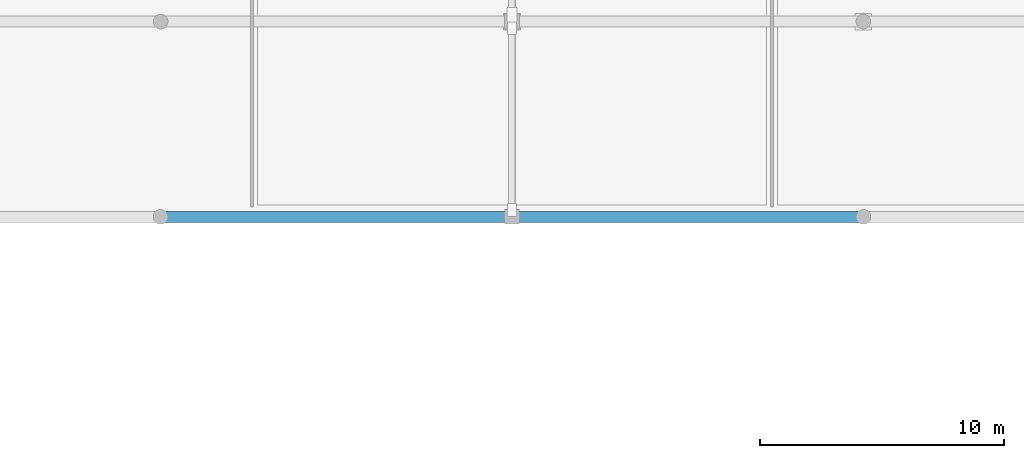
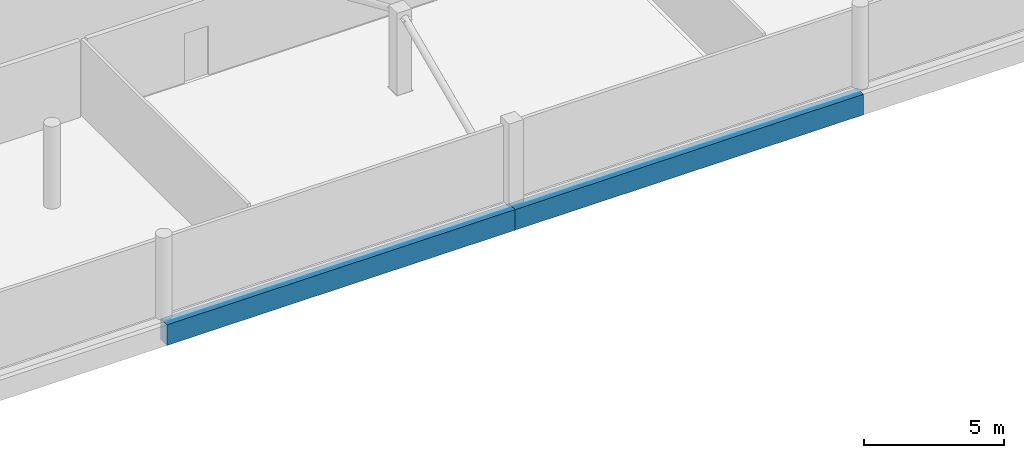
# One storey, part 62 of 189: 2 beams.
"""IFC4 building model written with IfcOpenShell, lengths in metres."""

from ifc_helpers import new_model, si_unit, direction, frame, origin, origin_2d, place, context, subcontext, project, spatial, rectangle, extrude, material, material_profile, profile_set, type_object, element, save


model = new_model("IFC4")

# Units and contexts
model_context = context("Model", 3, precision=1e-05, world=origin(), true_north=direction((0.0, 1.0)))
body_context = subcontext(model_context, "Body", "Model", "MODEL_VIEW")
ifc_project = project(units=[si_unit("LENGTHUNIT", "METRE"), si_unit("AREAUNIT", "SQUARE_METRE"), si_unit("VOLUMEUNIT", "CUBIC_METRE"), si_unit("PLANEANGLEUNIT", "RADIAN"), si_unit("MASSUNIT", "GRAM", prefix="KILO")], contexts=[model_context])

# Site, building, storey
site_placement = place(None, origin())
site = spatial("IfcSite", under=ifc_project, at=site_placement, CompositionType="ELEMENT")
building_placement = place(site_placement, origin())
building = spatial("IfcBuilding", under=site, at=building_placement, Name="Zavelmont Quarter", CompositionType="ELEMENT")
storey_placement = place(building_placement, frame((0.0, 0.0, 4.39990234375)))
storey = spatial("IfcBuildingStorey", under=building, at=storey_placement, Name="L01", CompositionType="ELEMENT", Elevation=4.39990234375)

# Beams
ifc_material = material(Name="Concrete C40/50", Category="concrete")
ifc_material_profile = material_profile(ifc_material, rectangle(XDim=0.449951171875, YDim=0.89990234375, at=origin_2d()), Name="RC450X900")
ifc_profile_set = profile_set([ifc_material_profile], Name="Concrete C40/50")
beam_type = type_object("IfcBeamType", Name="BM06", PredefinedType="BEAM", material=ifc_profile_set)
for number, where, z_axis, x_axis, name in (
    (1, (69.60009765625, 62.0, -0.72998046875), (1.0, 0.0, 0.0), (0.0, 1.0, 0.0), "L01 beam BM06 11/K to 13/K"),
    (2, (84.0, 62.0, -0.72998046875), (1.0, 0.0, 0.0), (0.0, 1.0, 0.0), "L01 beam BM06 13/K to 15/K"),
):
    element("IfcBeam", number, at=place(storey_placement, frame(where, z_axis=z_axis, x_axis=x_axis)), inside=storey, type_object=beam_type, Name=name, PredefinedType="BEAM", context=body_context, shape_type="SweptSolid", body=[
        extrude(rectangle(XDim=0.449951171875, YDim=0.89990234375, at=origin_2d()), origin(), (0.0, 0.0, 1.0), 14.39990234375),
    ])

save(model, "model.ifc")
